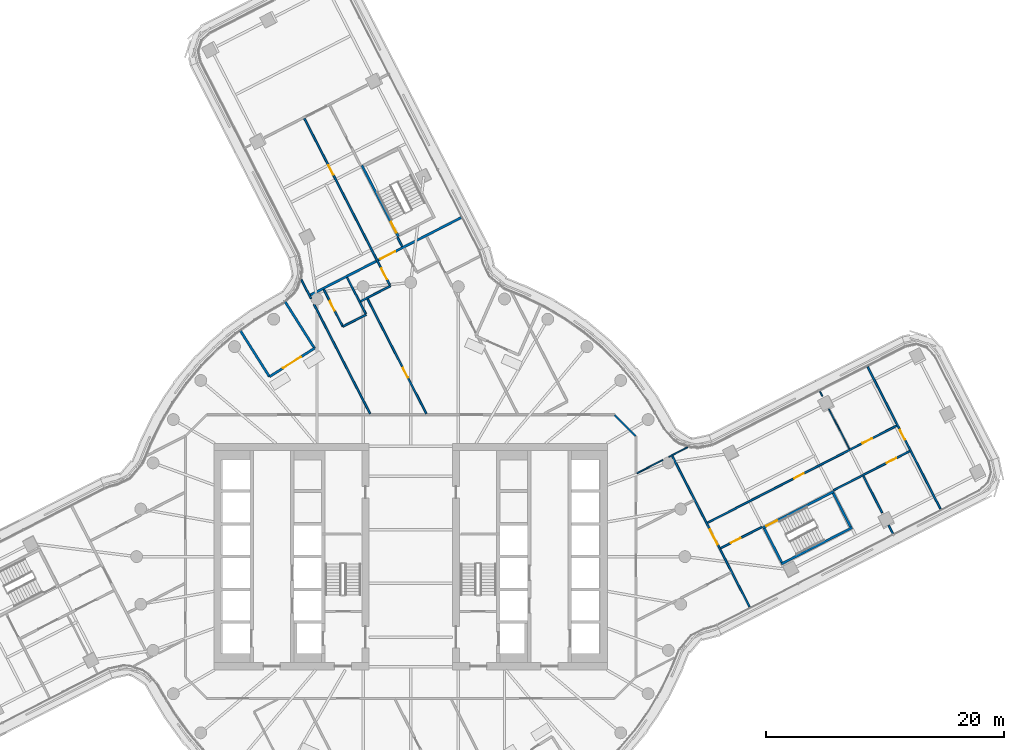
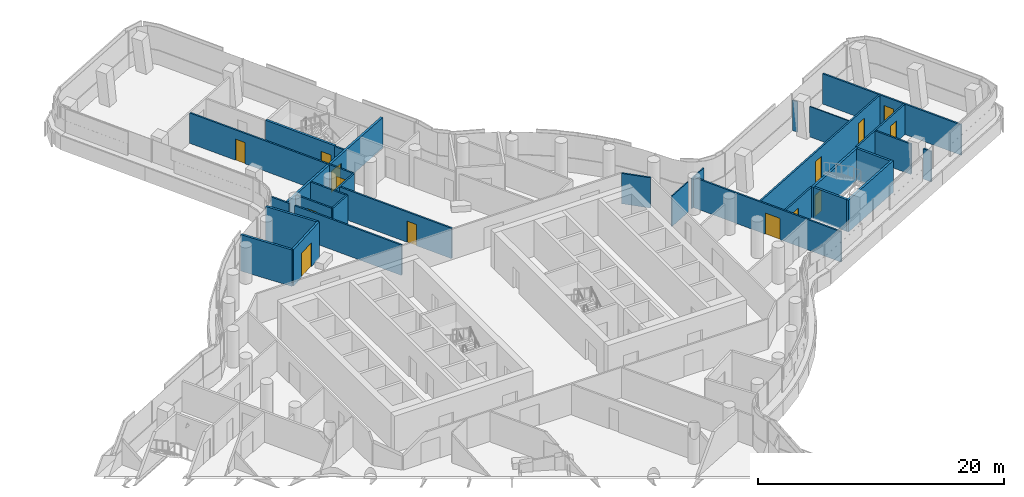
# One storey, part 25 of 37: 30 walls, 14 doors, 14 openings.
"""IFC4 building model written with IfcOpenShell, lengths in metres."""

from ifc_helpers import new_model, si_unit, direction, frame, frame_2d, origin, place, context, subcontext, project, spatial, polyline, rectangle, outline, extrude, material, layer, layer_set, type_object, element, fill, save


model = new_model("IFC4")

# Units and contexts
model_context = context("Model", 3, precision=1e-05, world=origin(), true_north=direction((0.0, 1.0)))
body_context = subcontext(model_context, "Body", "Model", "MODEL_VIEW")
ifc_project = project(units=[si_unit("LENGTHUNIT", "METRE"), si_unit("AREAUNIT", "SQUARE_METRE"), si_unit("VOLUMEUNIT", "CUBIC_METRE"), si_unit("PLANEANGLEUNIT", "RADIAN"), si_unit("MASSUNIT", "GRAM", prefix="KILO")], contexts=[model_context])

# Site, building, storey
site_placement = place(None, origin())
site = spatial("IfcSite", under=ifc_project, at=site_placement, CompositionType="ELEMENT")
building_placement = place(site_placement, origin())
building = spatial("IfcBuilding", under=site, at=building_placement, Name="Tamarind Cross Interchange Tower", CompositionType="ELEMENT")
storey_placement = place(building_placement, frame((0.0, 0.0, 133.0)))
storey = spatial("IfcBuildingStorey", under=building, at=storey_placement, Name="L32", CompositionType="ELEMENT", Elevation=133.0)

# Wall, opening, door
ifc_material_1 = material(Name="Concrete C40", Category="concrete")
ifc_layer_1 = layer(ifc_material_1, 0.199951171875)
ifc_layer_set_1 = layer_set([ifc_layer_1], Name="Concrete C40")
wall_type_1 = type_object("IfcWallType", Name="Balcony and garden door wall", PredefinedType="SOLIDWALL", material=ifc_layer_set_1)
wall_1_placement = place(storey_placement, frame((-8.0732421875, 17.48193359375, 0.0), z_axis=(0.0, 0.0, 1.0), x_axis=(-0.845417528595, -0.534105984187, 0.0)))
wall_1 = element("IfcWall", 1, at=wall_1_placement, inside=storey, type_object=wall_type_1, Name="EXW-L32-WG-L32-NW", PredefinedType="SOLIDWALL", context=body_context, shape_type="SweptSolid", body=[
    extrude(rectangle(XDim=4.470947265625, YDim=0.199951171875, at=frame_2d((2.2353515625, 0.0))), origin(), (0.0, 0.0, 1.0), 3.610107421875),
])
opening_1_placement = place(wall_1_placement, frame((1.33544921875, 0.0, 0.0)))
opening_1 = element("IfcOpeningElement", 2, at=opening_1_placement, cuts=wall_1, Name="Opening D5", PredefinedType="OPENING", context=body_context, shape_type="SweptSolid", body=[
    extrude(rectangle(XDim=1.800048828125, YDim=2.39990234375, at=frame_2d((0.89990234375, 1.199951171875))), frame((0.0, 0.10986328125, 0.0), z_axis=(0.0, -1.0, 0.0), x_axis=(1.0, 0.0, 0.0)), (0.0, 0.0, 1.0), 0.219970703125),
])
ifc_material_2 = material(Name="Aluminium and toughened glass", Category="aluminium")
door_type_1 = type_object("IfcDoorType", Name="Roof garden door", OperationType="DOUBLE_DOOR_SINGLE_SWING", PredefinedType="DOOR", material=ifc_material_2)
door_1_placement = place(opening_1_placement, origin())
door_1 = element("IfcDoor", 3, at=door_1_placement, inside=storey, type_object=door_type_1, Name="DOR-L32-WG-L32-NW", OperationType="SINGLE_SWING_LEFT", OverallHeight=2.39990234375, OverallWidth=1.800048828125, PredefinedType="DOOR", context=body_context, shape_type="SweptSolid", body=[
    extrude(rectangle(XDim=1.800048828125, YDim=2.39990234375, at=frame_2d((0.89990234375, 1.199951171875))), frame((0.0, 0.02490234375, 0.0), z_axis=(0.0, -1.0, 0.0), x_axis=(1.0, 0.0, 0.0)), (0.0, 0.0, 1.0), 0.050048828125),
])
fill(opening_1, door_1)

# Walls
wall_2_placement = place(storey_placement, frame((-8.0732421875, 17.48193359375, 0.0), z_axis=(0.0, 0.0, 1.0), x_axis=(-0.534101065581, 0.845420635982, 0.0)))
element("IfcWall", 4, at=wall_2_placement, inside=storey, type_object=wall_type_1, Name="EXW-L32-WG-L32-NW-R0", PredefinedType="SOLIDWALL", context=body_context, shape_type="SweptSolid", body=[
    extrude(rectangle(XDim=4.75927734375, YDim=0.199951171875, at=frame_2d((2.379638671875, 0.0))), origin(), (0.0, 0.0, 1.0), 3.610107421875),
])
wall_3_placement = place(storey_placement, frame((-11.85302734375, 15.09423828125, 0.0), z_axis=(0.0, 0.0, 1.0), x_axis=(-0.534084671669, 0.845430992742, 0.0)))
element("IfcWall", 5, at=wall_3_placement, inside=storey, type_object=wall_type_1, Name="EXW-L32-WG-L32-NW-R1", PredefinedType="SOLIDWALL", context=body_context, shape_type="SweptSolid", body=[
    extrude(rectangle(XDim=4.708740234375, YDim=0.199951171875, at=frame_2d((2.3544921875, 0.0))), origin(), (0.0, 0.0, 1.0), 3.610107421875),
])
ifc_material_3 = material(Name="Gypsum board partition on steel studs", Category="steel")
ifc_layer_2 = layer(ifc_material_3, 0.10009765625)
ifc_layer_set_2 = layer_set([ifc_layer_2], Name="Gypsum board partition on steel studs")
wall_type_2 = type_object("IfcWallType", Name="Partition 100 mm EI 90", PredefinedType="PARTITIONING", material=ifc_layer_set_2)
wall_4_placement = place(storey_placement, frame((34.326416015625, 13.872314453125, 0.0), z_axis=(0.0, 0.0, 1.0), x_axis=(0.456625277786, -0.889659123309, 0.0)))
element("IfcWall", 6, at=wall_4_placement, inside=storey, type_object=wall_type_2, Name="Partition L32-029", PredefinedType="PARTITIONING", context=body_context, shape_type="SweptSolid", body=[
    extrude(rectangle(XDim=0.465576171875, YDim=0.10009765625, at=frame_2d((0.23291015625, 0.0))), origin(), (0.0, 0.0, 1.0), 3.010009765625),
])
wall_5_placement = place(storey_placement, frame((35.083984375, 12.395751953125, 0.0), z_axis=(0.0, 0.0, 1.0), x_axis=(0.456567077321, -0.889688992799, 0.0)))
element("IfcWall", 7, at=wall_5_placement, inside=storey, type_object=wall_type_2, Name="Partition L32-030", PredefinedType="PARTITIONING", context=body_context, shape_type="SweptSolid", body=[
    extrude(rectangle(XDim=3.780029296875, YDim=0.10009765625, at=frame_2d((1.89013671875, 0.0))), origin(), (0.0, 0.0, 1.0), 3.010009765625),
])
wall_6_placement = place(storey_placement, frame((18.97998046875, 6.9921875, 0.0), z_axis=(0.0, 0.0, 1.0), x_axis=(0.889616028154, 0.456709231845, 0.0)))
element("IfcWall", 8, at=wall_6_placement, inside=storey, type_object=wall_type_2, Name="Partition L32-071", PredefinedType="PARTITIONING", context=body_context, shape_type="SweptSolid", body=[
    extrude(rectangle(XDim=2.461669921875, YDim=0.10009765625, at=frame_2d((1.23095703125, 0.0))), origin(), (0.0, 0.0, 1.0), 3.010009765625),
])
wall_7_placement = place(storey_placement, frame((21.654541015625, 8.365234375, 0.0), z_axis=(0.0, 0.0, 1.0), x_axis=(0.889589674888, 0.456760561271, 0.0)))
element("IfcWall", 9, at=wall_7_placement, inside=storey, type_object=wall_type_2, Name="Partition L32-072", PredefinedType="PARTITIONING", context=body_context, shape_type="SweptSolid", body=[
    extrude(rectangle(XDim=1.775146484375, YDim=0.10009765625, at=frame_2d((0.8876953125, 0.0))), origin(), (0.0, 0.0, 1.0), 3.010009765625),
])
ifc_layer_3 = layer(ifc_material_3, 0.14990234375)
ifc_layer_set_3 = layer_set([ifc_layer_3], Name="Gypsum board partition on steel studs")
wall_type_3 = type_object("IfcWallType", Name="Partition 150 mm EI 120", PredefinedType="PARTITIONING", material=ifc_layer_set_3)
wall_8_placement = place(storey_placement, frame((-9.175537109375, 23.2353515625, 0.0), z_axis=(0.0, 0.0, 1.0), x_axis=(0.456484124578, -0.889731557273, 0.0)))
element("IfcWall", 10, at=wall_8_placement, inside=storey, type_object=wall_type_3, Name="Partition L32-007", PredefinedType="PARTITIONING", context=body_context, shape_type="SweptSolid", body=[
    extrude(rectangle(XDim=1.775634765625, YDim=0.14990234375, at=frame_2d((0.8876953125, 0.0))), origin(), (0.0, 0.0, 1.0), 3.010009765625),
])
wall_9_placement = place(storey_placement, frame((-8.11572265625, 21.169677734375, 0.0), z_axis=(0.0, 0.0, 1.0), x_axis=(0.456543941527, -0.889700865154, 0.0)))
element("IfcWall", 11, at=wall_9_placement, inside=storey, type_object=wall_type_3, Name="Partition L32-008", PredefinedType="PARTITIONING", context=body_context, shape_type="SweptSolid", body=[
    extrude(rectangle(XDim=10.31396484375, YDim=0.14990234375, at=frame_2d((5.156982421875, 0.0))), origin(), (0.0, 0.0, 1.0), 3.010009765625),
])

# Wall, openings, doors
wall_10_placement = place(storey_placement, frame((-8.931884765625, 36.77734375, 0.0), z_axis=(0.0, 0.0, 1.0), x_axis=(0.456530071129, -0.889707982517, 0.0)))
wall_10 = element("IfcWall", 12, at=wall_10_placement, inside=storey, type_object=wall_type_3, Name="Partition L32-011", PredefinedType="PARTITIONING", context=body_context, shape_type="SweptSolid", body=[
    extrude(rectangle(XDim=15.744873046875, YDim=0.14990234375, at=frame_2d((7.87255859375, 0.0))), origin(), (0.0, 0.0, 1.0), 3.010009765625),
])
opening_2_placement = place(wall_10_placement, frame((14.1748046875, 0.0, 0.0)))
opening_2 = element("IfcOpeningElement", 13, at=opening_2_placement, cuts=wall_10, Name="Opening D04", PredefinedType="OPENING", context=body_context, shape_type="SweptSolid", body=[
    extrude(rectangle(XDim=1.0, YDim=2.10009765625, at=frame_2d((0.5, 1.050048828125))), frame((0.0, 0.0849609375, 0.0), z_axis=(0.0, -1.0, 0.0), x_axis=(1.0, 0.0, 0.0)), (0.0, 0.0, 1.0), 0.169921875),
])
opening_3_placement = place(wall_10_placement, frame((4.425048828125, 0.0, 0.0)))
opening_3 = element("IfcOpeningElement", 14, at=opening_3_placement, cuts=wall_10, Name="Opening D05", PredefinedType="OPENING", context=body_context, shape_type="SweptSolid", body=[
    extrude(rectangle(XDim=0.89990234375, YDim=2.10009765625, at=frame_2d((0.449951171875, 1.050048828125))), frame((0.0, 0.0849609375, 0.0), z_axis=(0.0, -1.0, 0.0), x_axis=(1.0, 0.0, 0.0)), (0.0, 0.0, 1.0), 0.169921875),
])
ifc_material_4 = material(Name="Fire-resisting door set")
door_type_2 = type_object("IfcDoorType", Name="Interior door 1000 x 2100 FD60S", OperationType="SINGLE_SWING_LEFT", PredefinedType="DOOR", material=ifc_material_4)
door_2_placement = place(opening_2_placement, frame((1.0, 0.0, 0.0), z_axis=(0.0, 0.0, 1.0), x_axis=(-1.0, 0.0, 0.0)))
door_2 = element("IfcDoor", 15, at=door_2_placement, inside=storey, type_object=door_type_2, Name="Door D04", OperationType="SINGLE_SWING_RIGHT", OverallHeight=2.10009765625, OverallWidth=1.0, PredefinedType="DOOR", context=body_context, shape_type="SweptSolid", body=[
    extrude(rectangle(XDim=1.0, YDim=2.10009765625, at=frame_2d((0.5, 1.050048828125))), frame((0.0, 0.02490234375, 0.0), z_axis=(0.0, -1.0, 0.0), x_axis=(1.0, 0.0, 0.0)), (0.0, 0.0, 1.0), 0.050048828125),
])
fill(opening_2, door_2)
door_type_3 = type_object("IfcDoorType", Name="Interior door 900 x 2100 FD60S", OperationType="SINGLE_SWING_LEFT", PredefinedType="DOOR", material=ifc_material_4)
door_3_placement = place(opening_3_placement, frame((0.89990234375, 0.0, 0.0), z_axis=(0.0, 0.0, 1.0), x_axis=(-1.0, 0.0, 0.0)))
door_3 = element("IfcDoor", 16, at=door_3_placement, inside=storey, type_object=door_type_3, Name="Door D05", OperationType="SINGLE_SWING_LEFT", OverallHeight=2.10009765625, OverallWidth=0.89990234375, PredefinedType="DOOR", context=body_context, shape_type="SweptSolid", body=[
    extrude(rectangle(XDim=0.89990234375, YDim=2.10009765625, at=frame_2d((0.449951171875, 1.050048828125))), frame((0.0, 0.02490234375, 0.0), z_axis=(0.0, -1.0, 0.0), x_axis=(1.0, 0.0, 0.0)), (0.0, 0.0, 1.0), 0.050048828125),
])
fill(opening_3, door_3)

# Wall, opening, door
wall_11_placement = place(storey_placement, frame((-7.294189453125, 22.416015625, 0.0), z_axis=(0.0, 0.0, 1.0), x_axis=(0.456617130673, -0.889663304838, 0.0)))
wall_11 = element("IfcWall", 17, at=wall_11_placement, inside=storey, type_object=wall_type_3, Name="Partition L32-012", PredefinedType="PARTITIONING", context=body_context, shape_type="SweptSolid", body=[
    extrude(rectangle(XDim=3.480224609375, YDim=0.14990234375, at=frame_2d((1.740234375, 0.0))), origin(), (0.0, 0.0, 1.0), 3.010009765625),
])
opening_4_placement = place(wall_11_placement, frame((1.10009765625, 0.0, 0.0)))
opening_4 = element("IfcOpeningElement", 18, at=opening_4_placement, cuts=wall_11, Name="Opening D06", PredefinedType="OPENING", context=body_context, shape_type="SweptSolid", body=[
    extrude(rectangle(XDim=0.89990234375, YDim=2.10009765625, at=frame_2d((0.449951171875, 1.050048828125))), frame((0.0, 0.0849609375, 0.0), z_axis=(0.0, -1.0, 0.0), x_axis=(1.0, 0.0, 0.0)), (0.0, 0.0, 1.0), 0.169921875),
])
door_4_placement = place(opening_4_placement, origin())
door_4 = element("IfcDoor", 19, at=door_4_placement, inside=storey, type_object=door_type_3, Name="Door D06", OperationType="SINGLE_SWING_RIGHT", OverallHeight=2.10009765625, OverallWidth=0.89990234375, PredefinedType="DOOR", context=body_context, shape_type="SweptSolid", body=[
    extrude(rectangle(XDim=0.89990234375, YDim=2.10009765625, at=frame_2d((0.449951171875, 1.050048828125))), frame((0.0, 0.02490234375, 0.0), z_axis=(0.0, -1.0, 0.0), x_axis=(1.0, 0.0, 0.0)), (0.0, 0.0, 1.0), 0.050048828125),
])
fill(opening_4, door_4)

# Walls
wall_12_placement = place(storey_placement, frame((-1.105224609375, 26.782958984375, 0.0), z_axis=(0.0, 0.0, 1.0), x_axis=(0.456670300409, -0.889636013617, 0.0)))
element("IfcWall", 20, at=wall_12_placement, inside=storey, type_object=wall_type_3, Name="Partition L32-014", PredefinedType="PARTITIONING", context=body_context, shape_type="SweptSolid", body=[
    extrude(rectangle(XDim=0.854736328125, YDim=0.14990234375, at=frame_2d((0.42724609375, 0.0))), origin(), (0.0, 0.0, 1.0), 3.010009765625),
])
wall_13_placement = place(storey_placement, frame((-5.33740234375, 23.419921875, 0.0), z_axis=(0.0, 0.0, 1.0), x_axis=(0.456682724055, -0.889629636169, 0.0)))
element("IfcWall", 21, at=wall_13_placement, inside=storey, type_object=wall_type_3, Name="Partition L32-015", PredefinedType="PARTITIONING", context=body_context, shape_type="SweptSolid", body=[
    extrude(rectangle(XDim=3.425048828125, YDim=0.14990234375, at=frame_2d((1.71240234375, 0.0))), origin(), (0.0, 0.0, 1.0), 3.010009765625),
])

# Wall, opening, door
wall_14_placement = place(storey_placement, frame((-3.6298828125, 21.627197265625, 0.0), z_axis=(0.0, 0.0, 1.0), x_axis=(0.456496994871, -0.889724953946, 0.0)))
wall_14 = element("IfcWall", 22, at=wall_14_placement, inside=storey, type_object=wall_type_3, Name="Partition L32-016", PredefinedType="PARTITIONING", context=body_context, shape_type="SweptSolid", body=[
    extrude(rectangle(XDim=10.827880859375, YDim=0.14990234375, at=frame_2d((5.4140625, 0.0))), origin(), (0.0, 0.0, 1.0), 3.010009765625),
])
opening_5_placement = place(wall_14_placement, frame((6.52490234375, 0.0, 0.0)))
opening_5 = element("IfcOpeningElement", 23, at=opening_5_placement, cuts=wall_14, Name="Opening D08", PredefinedType="OPENING", context=body_context, shape_type="SweptSolid", body=[
    extrude(rectangle(XDim=0.89990234375, YDim=2.10009765625, at=frame_2d((0.449951171875, 1.050048828125))), frame((0.0, 0.0849609375, 0.0), z_axis=(0.0, -1.0, 0.0), x_axis=(1.0, 0.0, 0.0)), (0.0, 0.0, 1.0), 0.169921875),
])
door_5_placement = place(opening_5_placement, frame((0.89990234375, 0.0, 0.0), z_axis=(0.0, 0.0, 1.0), x_axis=(-1.0, 0.0, 0.0)))
door_5 = element("IfcDoor", 24, at=door_5_placement, inside=storey, type_object=door_type_3, Name="Door D08", OperationType="SINGLE_SWING_RIGHT", OverallHeight=2.10009765625, OverallWidth=0.89990234375, PredefinedType="DOOR", context=body_context, shape_type="SweptSolid", body=[
    extrude(rectangle(XDim=0.89990234375, YDim=2.10009765625, at=frame_2d((0.449951171875, 1.050048828125))), frame((0.0, 0.02490234375, 0.0), z_axis=(0.0, -1.0, 0.0), x_axis=(1.0, 0.0, 0.0)), (0.0, 0.0, 1.0), 0.050048828125),
])
fill(opening_5, door_5)

wall_15_placement = place(storey_placement, frame((21.933837890625, 8.452392578125, 0.0), z_axis=(0.0, 0.0, 1.0), x_axis=(0.456612291923, -0.889665788296, 0.0)))
wall_15 = element("IfcWall", 25, at=wall_15_placement, inside=storey, type_object=wall_type_3, Name="Partition L32-028", PredefinedType="PARTITIONING", context=body_context, shape_type="SweptSolid", body=[
    extrude(rectangle(XDim=14.249267578125, YDim=0.14990234375, at=frame_2d((7.12451171875, 0.0))), origin(), (0.0, 0.0, 1.0), 3.010009765625),
])
opening_6_placement = place(wall_15_placement, frame((6.949951171875, 0.0, 0.0)))
opening_6 = element("IfcOpeningElement", 26, at=opening_6_placement, cuts=wall_15, Name="Opening D19", PredefinedType="OPENING", context=body_context, shape_type="SweptSolid", body=[
    extrude(rectangle(XDim=1.39990234375, YDim=2.10009765625, at=frame_2d((0.699951171875, 1.050048828125))), frame((0.0, 0.0849609375, 0.0), z_axis=(0.0, -1.0, 0.0), x_axis=(1.0, 0.0, 0.0)), (0.0, 0.0, 1.0), 0.169921875),
])
door_type_4 = type_object("IfcDoorType", Name="Interior door 1400 x 2100 FD60S", OperationType="DOUBLE_DOOR_SINGLE_SWING", PredefinedType="DOOR", material=ifc_material_4)
door_6_placement = place(opening_6_placement, frame((1.39990234375, 0.0, 0.0), z_axis=(0.0, 0.0, 1.0), x_axis=(-1.0, 0.0, 0.0)))
door_6 = element("IfcDoor", 27, at=door_6_placement, inside=storey, type_object=door_type_4, Name="Door D19", OperationType="DOUBLE_DOOR_SINGLE_SWING", OverallHeight=2.10009765625, OverallWidth=1.39990234375, PredefinedType="DOOR", context=body_context, shape_type="SweptSolid", body=[
    extrude(rectangle(XDim=1.39990234375, YDim=2.10009765625, at=frame_2d((0.699951171875, 1.050048828125))), frame((0.0, 0.02490234375, 0.0), z_axis=(0.0, -1.0, 0.0), x_axis=(1.0, 0.0, 0.0)), (0.0, 0.0, 1.0), 0.050048828125),
])
fill(opening_6, door_6)

# Walls
wall_16_placement = place(storey_placement, frame((37.973876953125, 6.76416015625, 0.0), z_axis=(0.0, 0.0, 1.0), x_axis=(0.456549891338, -0.889697812023, 0.0)))
element("IfcWall", 28, at=wall_16_placement, inside=storey, type_object=wall_type_3, Name="Partition L32-031", PredefinedType="PARTITIONING", context=body_context, shape_type="SweptSolid", body=[
    extrude(rectangle(XDim=3.463623046875, YDim=0.14990234375, at=frame_2d((1.73193359375, 0.0))), origin(), (0.0, 0.0, 1.0), 3.010009765625),
])
wall_17_placement = place(storey_placement, frame((40.10107421875, 2.618896484375, 0.0), z_axis=(0.0, 0.0, 1.0), x_axis=(0.456381439549, -0.889784233191, 0.0)))
element("IfcWall", 29, at=wall_17_placement, inside=storey, type_object=wall_type_3, Name="Partition L32-032", PredefinedType="PARTITIONING", context=body_context, shape_type="SweptSolid", body=[
    extrude(rectangle(XDim=0.764892578125, YDim=0.14990234375, at=frame_2d((0.38232421875, 0.0))), origin(), (0.0, 0.0, 1.0), 3.010009765625),
])

# Wall, opening, door
wall_18_placement = place(storey_placement, frame((38.33349609375, 15.9189453125, 0.0), z_axis=(0.0, 0.0, 1.0), x_axis=(0.456630170647, -0.889656611988, 0.0)))
wall_18 = element("IfcWall", 30, at=wall_18_placement, inside=storey, type_object=wall_type_3, Name="Partition L32-033", PredefinedType="PARTITIONING", context=body_context, shape_type="SweptSolid", body=[
    extrude(rectangle(XDim=13.405029296875, YDim=0.14990234375, at=frame_2d((6.70263671875, 0.0))), origin(), (0.0, 0.0, 1.0), 3.010009765625),
])
opening_7_placement = place(wall_18_placement, frame((5.95654296875, 0.0, 0.0)))
opening_7 = element("IfcOpeningElement", 31, at=opening_7_placement, cuts=wall_18, Name="Opening D20", PredefinedType="OPENING", context=body_context, shape_type="SweptSolid", body=[
    extrude(rectangle(XDim=0.89990234375, YDim=2.10009765625, at=frame_2d((0.449951171875, 1.050048828125))), frame((0.0, 0.0849609375, 0.0), z_axis=(0.0, -1.0, 0.0), x_axis=(1.0, 0.0, 0.0)), (0.0, 0.0, 1.0), 0.169921875),
])
door_7_placement = place(opening_7_placement, origin())
door_7 = element("IfcDoor", 32, at=door_7_placement, inside=storey, type_object=door_type_3, Name="Door D20", OperationType="SINGLE_SWING_RIGHT", OverallHeight=2.10009765625, OverallWidth=0.89990234375, PredefinedType="DOOR", context=body_context, shape_type="SweptSolid", body=[
    extrude(rectangle(XDim=0.89990234375, YDim=2.10009765625, at=frame_2d((0.449951171875, 1.050048828125))), frame((0.0, 0.02490234375, 0.0), z_axis=(0.0, -1.0, 0.0), x_axis=(1.0, 0.0, 0.0)), (0.0, 0.0, 1.0), 0.050048828125),
])
fill(opening_7, door_7)

# Walls
wall_19_placement = place(storey_placement, frame((17.12841796875, 11.87158203125, 0.0), z_axis=(0.0, 0.0, 1.0), x_axis=(0.707106781187, -0.707106781187, 0.0)))
element("IfcWall", 33, at=wall_19_placement, inside=storey, type_object=wall_type_3, Name="Partition L32-035", PredefinedType="PARTITIONING", context=body_context, shape_type="SweptSolid", body=[
    extrude(rectangle(XDim=2.465087890625, YDim=0.14990234375, at=frame_2d((1.232421875, 0.0))), origin(), (0.0, 0.0, 1.0), 3.010009765625),
])
wall_20_placement = place(storey_placement, frame((-5.696044921875, 19.302001953125, 0.0), z_axis=(0.0, 0.0, 1.0), x_axis=(0.889761986003, 0.456424811183, 0.0)))
element("IfcWall", 34, at=wall_20_placement, inside=storey, type_object=wall_type_3, Name="Partition L32-052", PredefinedType="PARTITIONING", context=body_context, shape_type="SweptSolid", body=[
    extrude(rectangle(XDim=2.199462890625, YDim=0.14990234375, at=frame_2d((1.099609375, 0.0))), origin(), (0.0, 0.0, 1.0), 3.010009765625),
])
wall_21_placement = place(storey_placement, frame((-4.22021484375, 21.408203125, 0.0), z_axis=(0.0, 0.0, 1.0), x_axis=(0.889499615921, 0.456935918128, 0.0)))
element("IfcWall", 35, at=wall_21_placement, inside=storey, type_object=wall_type_3, Name="Partition L32-054", PredefinedType="PARTITIONING", context=body_context, shape_type="SweptSolid", body=[
    extrude(rectangle(XDim=2.824951171875, YDim=0.14990234375, at=frame_2d((1.41259765625, 0.0))), origin(), (0.0, 0.0, 1.0), 3.010009765625),
])

# Wall, openings, doors
wall_22_placement = place(storey_placement, frame((24.904296875, 2.839599609375, 0.0), z_axis=(0.0, 0.0, 1.0), x_axis=(0.88972158157, 0.456503567663, 0.0)))
wall_22 = element("IfcWall", 36, at=wall_22_placement, inside=storey, type_object=wall_type_3, Name="Partition L32-073", PredefinedType="PARTITIONING", context=body_context, shape_type="SweptSolid", body=[
    extrude(rectangle(XDim=17.844970703125, YDim=0.14990234375, at=frame_2d((8.92236328125, 0.0))), origin(), (0.0, 0.0, 1.0), 3.010009765625),
])
opening_8_placement = place(wall_22_placement, frame((8.169921875, 0.0, 0.0)))
opening_8 = element("IfcOpeningElement", 37, at=opening_8_placement, cuts=wall_22, Name="Opening D36", PredefinedType="OPENING", context=body_context, shape_type="SweptSolid", body=[
    extrude(rectangle(XDim=0.89990234375, YDim=2.10009765625, at=frame_2d((0.449951171875, 1.050048828125))), frame((0.0, 0.0849609375, 0.0), z_axis=(0.0, -1.0, 0.0), x_axis=(1.0, 0.0, 0.0)), (0.0, 0.0, 1.0), 0.169921875),
])
opening_9_placement = place(wall_22_placement, frame((14.619873046875, 0.0, 0.0)))
opening_9 = element("IfcOpeningElement", 38, at=opening_9_placement, cuts=wall_22, Name="Opening D37", PredefinedType="OPENING", context=body_context, shape_type="SweptSolid", body=[
    extrude(rectangle(XDim=0.89990234375, YDim=2.10009765625, at=frame_2d((0.449951171875, 1.050048828125))), frame((0.0, 0.0849609375, 0.0), z_axis=(0.0, -1.0, 0.0), x_axis=(1.0, 0.0, 0.0)), (0.0, 0.0, 1.0), 0.169921875),
])
door_8_placement = place(opening_8_placement, origin())
door_8 = element("IfcDoor", 39, at=door_8_placement, inside=storey, type_object=door_type_3, Name="Door D36", OperationType="SINGLE_SWING_RIGHT", OverallHeight=2.10009765625, OverallWidth=0.89990234375, PredefinedType="DOOR", context=body_context, shape_type="SweptSolid", body=[
    extrude(rectangle(XDim=0.89990234375, YDim=2.10009765625, at=frame_2d((0.449951171875, 1.050048828125))), frame((0.0, 0.02490234375, 0.0), z_axis=(0.0, -1.0, 0.0), x_axis=(1.0, 0.0, 0.0)), (0.0, 0.0, 1.0), 0.050048828125),
])
fill(opening_8, door_8)
door_9_placement = place(opening_9_placement, origin())
door_9 = element("IfcDoor", 40, at=door_9_placement, inside=storey, type_object=door_type_3, Name="Door D37", OperationType="SINGLE_SWING_LEFT", OverallHeight=2.10009765625, OverallWidth=0.89990234375, PredefinedType="DOOR", context=body_context, shape_type="SweptSolid", body=[
    extrude(rectangle(XDim=0.89990234375, YDim=2.10009765625, at=frame_2d((0.449951171875, 1.050048828125))), frame((0.0, 0.02490234375, 0.0), z_axis=(0.0, -1.0, 0.0), x_axis=(1.0, 0.0, 0.0)), (0.0, 0.0, 1.0), 0.050048828125),
])
fill(opening_9, door_9)

# Wall, opening, door
wall_23_placement = place(storey_placement, frame((26.000244140625, 0.70361328125, 0.0), z_axis=(0.0, 0.0, 1.0), x_axis=(0.88964509862, 0.456652601548, 0.0)))
wall_23 = element("IfcWall", 41, at=wall_23_placement, inside=storey, type_object=wall_type_3, Name="Partition L32-074", PredefinedType="PARTITIONING", context=body_context, shape_type="SweptSolid", body=[
    extrude(rectangle(XDim=3.8798828125, YDim=0.14990234375, at=frame_2d((1.93994140625, 0.0))), origin(), (0.0, 0.0, 1.0), 3.010009765625),
])
opening_10_placement = place(wall_23_placement, frame((0.969970703125, 0.0, 0.0)))
opening_10 = element("IfcOpeningElement", 42, at=opening_10_placement, cuts=wall_23, Name="Opening D38", PredefinedType="OPENING", context=body_context, shape_type="SweptSolid", body=[
    extrude(rectangle(XDim=0.89990234375, YDim=2.10009765625, at=frame_2d((0.449951171875, 1.050048828125))), frame((0.0, 0.0849609375, 0.0), z_axis=(0.0, -1.0, 0.0), x_axis=(1.0, 0.0, 0.0)), (0.0, 0.0, 1.0), 0.169921875),
])
door_10_placement = place(opening_10_placement, frame((0.89990234375, 0.0, 0.0), z_axis=(0.0, 0.0, 1.0), x_axis=(-1.0, 0.0, 0.0)))
door_10 = element("IfcDoor", 43, at=door_10_placement, inside=storey, type_object=door_type_3, Name="Door D38", OperationType="SINGLE_SWING_LEFT", OverallHeight=2.10009765625, OverallWidth=0.89990234375, PredefinedType="DOOR", context=body_context, shape_type="SweptSolid", body=[
    extrude(rectangle(XDim=0.89990234375, YDim=2.10009765625, at=frame_2d((0.449951171875, 1.050048828125))), frame((0.0, 0.02490234375, 0.0), z_axis=(0.0, -1.0, 0.0), x_axis=(1.0, 0.0, 0.0)), (0.0, 0.0, 1.0), 0.050048828125),
])
fill(opening_10, door_10)

wall_24_placement = place(storey_placement, frame((35.48388671875, 5.571533203125, 0.0), z_axis=(0.0, 0.0, 1.0), x_axis=(0.889646871899, 0.456649146852, 0.0)))
wall_24 = element("IfcWall", 44, at=wall_24_placement, inside=storey, type_object=wall_type_3, Name="Partition L32-075", PredefinedType="PARTITIONING", context=body_context, shape_type="SweptSolid", body=[
    extrude(rectangle(XDim=7.184326171875, YDim=0.14990234375, at=frame_2d((3.59228515625, 0.0))), origin(), (0.0, 0.0, 1.0), 3.010009765625),
])
opening_11_placement = place(wall_24_placement, frame((5.01025390625, 0.0, 0.0)))
opening_11 = element("IfcOpeningElement", 45, at=opening_11_placement, cuts=wall_24, Name="Opening D39", PredefinedType="OPENING", context=body_context, shape_type="SweptSolid", body=[
    extrude(rectangle(XDim=0.89990234375, YDim=2.10009765625, at=frame_2d((0.449951171875, 1.050048828125))), frame((0.0, 0.0849609375, 0.0), z_axis=(0.0, -1.0, 0.0), x_axis=(1.0, 0.0, 0.0)), (0.0, 0.0, 1.0), 0.169921875),
])
door_11_placement = place(opening_11_placement, frame((0.89990234375, 0.0, 0.0), z_axis=(0.0, 0.0, 1.0), x_axis=(-1.0, 0.0, 0.0)))
door_11 = element("IfcDoor", 46, at=door_11_placement, inside=storey, type_object=door_type_3, Name="Door D39", OperationType="SINGLE_SWING_RIGHT", OverallHeight=2.10009765625, OverallWidth=0.89990234375, PredefinedType="DOOR", context=body_context, shape_type="SweptSolid", body=[
    extrude(rectangle(XDim=0.89990234375, YDim=2.10009765625, at=frame_2d((0.449951171875, 1.050048828125))), frame((0.0, 0.02490234375, 0.0), z_axis=(0.0, -1.0, 0.0), x_axis=(1.0, 0.0, 0.0)), (0.0, 0.0, 1.0), 0.050048828125),
])
fill(opening_11, door_11)

ifc_layer_4 = layer(ifc_material_3, 0.199951171875)
ifc_layer_set_4 = layer_set([ifc_layer_4], Name="Gypsum board partition on steel studs")
wall_type_4 = type_object("IfcWallType", Name="Partition 200 mm EI 180", PredefinedType="PARTITIONING", material=ifc_layer_set_4)
wall_25_placement = place(storey_placement, frame((-8.42578125, 21.947509765625, 0.0), z_axis=(0.0, 0.0, 1.0), x_axis=(0.889606613969, 0.456727569108, 0.0)))
wall_25 = element("IfcWall", 47, at=wall_25_placement, inside=storey, type_object=wall_type_4, Name="Partition L32-051", PredefinedType="PARTITIONING", context=body_context, shape_type="SweptSolid", body=[
    extrude(rectangle(XDim=14.219482421875, YDim=0.199951171875, at=frame_2d((7.10986328125, 0.0))), origin(), (0.0, 0.0, 1.0), 3.010009765625),
])
opening_12_placement = place(wall_25_placement, frame((6.6201171875, 0.0, 0.0)))
opening_12 = element("IfcOpeningElement", 48, at=opening_12_placement, cuts=wall_25, Name="Opening D32", PredefinedType="OPENING", context=body_context, shape_type="SweptSolid", body=[
    extrude(rectangle(XDim=1.39990234375, YDim=2.10009765625, at=frame_2d((0.699951171875, 1.050048828125))), frame((0.0, 0.10986328125, 0.0), z_axis=(0.0, -1.0, 0.0), x_axis=(1.0, 0.0, 0.0)), (0.0, 0.0, 1.0), 0.219970703125),
])
door_type_5 = type_object("IfcDoorType", Name="Interior door 1400 x 2100 FD120S", OperationType="DOUBLE_DOOR_SINGLE_SWING", PredefinedType="DOOR", material=ifc_material_4)
door_12_placement = place(opening_12_placement, frame((1.39990234375, 0.0, 0.0), z_axis=(0.0, 0.0, 1.0), x_axis=(-1.0, 0.0, 0.0)))
door_12 = element("IfcDoor", 49, at=door_12_placement, inside=storey, type_object=door_type_5, Name="Door D32", OperationType="DOUBLE_DOOR_SINGLE_SWING", OverallHeight=2.10009765625, OverallWidth=1.39990234375, PredefinedType="DOOR", context=body_context, shape_type="SweptSolid", body=[
    extrude(rectangle(XDim=1.39990234375, YDim=2.10009765625, at=frame_2d((0.699951171875, 1.050048828125))), frame((0.0, 0.02490234375, 0.0), z_axis=(0.0, -1.0, 0.0), x_axis=(1.0, 0.0, 0.0)), (0.0, 0.0, 1.0), 0.050048828125),
])
fill(opening_12, door_12)

ifc_layer_5 = layer(ifc_material_1, 0.199951171875)
ifc_layer_set_5 = layer_set([ifc_layer_5], Name="Concrete C40")
wall_type_5 = type_object("IfcWallType", Name="Stair shaft wall 200 mm Concrete C40", PredefinedType="SHEAR", material=ifc_layer_set_5)
wall_26_placement = place(storey_placement, frame((29.533203125, 2.404541015625, -0.139892578125), z_axis=(0.0, 0.0, 1.0), x_axis=(0.889699446703, 0.456546705756, 0.0)))
wall_26 = element("IfcWall", 50, at=wall_26_placement, inside=storey, type_object=wall_type_5, Name="Core wall CWL-L32-ST3-H", PredefinedType="SHEAR", context=body_context, shape_type="SweptSolid", body=[
    extrude(rectangle(XDim=6.699951171875, YDim=0.199951171875, at=frame_2d((3.35009765625, 0.0))), origin(), (0.0, 0.0, 1.0), 3.14990234375),
])
opening_13_placement = place(wall_26_placement, frame((0.35009765625, 0.0, 0.0)))
opening_13 = element("IfcOpeningElement", 51, at=opening_13_placement, cuts=wall_26, Name="Opening ST3L32", PredefinedType="OPENING", context=body_context, shape_type="SweptSolid", body=[
    extrude(rectangle(XDim=1.0, YDim=2.10009765625, at=frame_2d((0.5, 1.050048828125))), frame((0.0, 0.10986328125, 0.0), z_axis=(0.0, -1.0, 0.0), x_axis=(1.0, 0.0, 0.0)), (0.0, 0.0, 1.0), 0.219970703125),
])
ifc_material_5 = material(Name="Steel, fire-resisting", Category="steel")
door_type_6 = type_object("IfcDoorType", Name="Core fire door 1000 x 2100 FD90", OperationType="SINGLE_SWING_LEFT", PredefinedType="DOOR", material=ifc_material_5)
door_13_placement = place(opening_13_placement, origin())
door_13 = element("IfcDoor", 52, at=door_13_placement, inside=storey, type_object=door_type_6, Name="L32 stair door ST3", OperationType="SINGLE_SWING_LEFT", OverallHeight=2.10009765625, OverallWidth=1.0, PredefinedType="DOOR", context=body_context, shape_type="SweptSolid", body=[
    extrude(rectangle(XDim=1.0, YDim=2.10009765625, at=frame_2d((0.5, 1.050048828125))), frame((0.0, 0.02490234375, 0.0), z_axis=(0.0, -1.0, 0.0), x_axis=(1.0, 0.0, 0.0)), (0.0, 0.0, 1.0), 0.050048828125),
])
fill(opening_13, door_13)

# Walls
wall_27_placement = place(storey_placement, frame((31.08544921875, -0.62060546875, -0.139892578125), z_axis=(0.0, 0.0, 1.0), x_axis=(0.889684645268, 0.456575549033, 0.0)))
element("IfcWall", 53, at=wall_27_placement, inside=storey, type_object=wall_type_5, Name="Core wall CWL-L32-ST3-C", PredefinedType="SHEAR", context=body_context, shape_type="SweptSolid", body=[
    extrude(rectangle(XDim=6.699951171875, YDim=0.199951171875, at=frame_2d((3.35009765625, 0.0))), origin(), (0.0, 0.0, 1.0), 3.14990234375),
])
wall_28_placement = place(storey_placement, frame((31.128662109375, -0.48583984375, -0.139892578125), z_axis=(0.0, 0.0, 1.0), x_axis=(-0.456558269459, 0.889693512727, 0.0)))
element("IfcWall", 54, at=wall_28_placement, inside=storey, type_object=wall_type_5, Name="Core wall CWL-L32-ST3-CE", PredefinedType="SHEAR", context=body_context, shape_type="SweptSolid", body=[
    extrude(rectangle(XDim=3.199951171875, YDim=0.199951171875, at=frame_2d((1.60009765625, 0.0))), origin(), (0.0, 0.0, 1.0), 3.14990234375),
])
wall_29_placement = place(storey_placement, frame((0.0, 0.0, -0.139892578125)))
element("IfcWall", 55, at=wall_29_placement, inside=storey, type_object=wall_type_5, Name="Core wall CWL-L32-ST3-CF", PredefinedType="SHEAR", context=body_context, shape_type="SweptSolid", body=[
    extrude(outline(polyline([(36.82275390625, 2.43603515625), (37.000732421875, 2.52734375), (35.539794921875, 5.37451171875), (35.36181640625, 5.283203125), (36.82275390625, 2.43603515625)])), origin(), (0.0, 0.0, 1.0), 3.14990234375),
])

# Wall, opening, door
wall_30_placement = place(storey_placement, frame((-1.034912109375, 26.864013671875, -0.139892578125), z_axis=(0.0, 0.0, 1.0), x_axis=(-0.456546705756, 0.889699446703, 0.0)))
wall_30 = element("IfcWall", 56, at=wall_30_placement, inside=storey, type_object=wall_type_5, Name="Core wall CWL-L32-ST4-H", PredefinedType="SHEAR", context=body_context, shape_type="SweptSolid", body=[
    extrude(rectangle(XDim=6.699951171875, YDim=0.199951171875, at=frame_2d((3.35009765625, 0.0))), origin(), (0.0, 0.0, 1.0), 3.14990234375),
])
opening_14_placement = place(wall_30_placement, frame((0.35009765625, 0.0, 0.0)))
opening_14 = element("IfcOpeningElement", 57, at=opening_14_placement, cuts=wall_30, Name="Opening ST4L32", PredefinedType="OPENING", context=body_context, shape_type="SweptSolid", body=[
    extrude(rectangle(XDim=1.0, YDim=2.10009765625, at=frame_2d((0.5, 1.050048828125))), frame((0.0, 0.10986328125, 0.0), z_axis=(0.0, -1.0, 0.0), x_axis=(1.0, 0.0, 0.0)), (0.0, 0.0, 1.0), 0.219970703125),
])
door_14_placement = place(opening_14_placement, origin())
door_14 = element("IfcDoor", 58, at=door_14_placement, inside=storey, type_object=door_type_6, Name="L32 stair door ST4", OperationType="SINGLE_SWING_LEFT", OverallHeight=2.10009765625, OverallWidth=1.0, PredefinedType="DOOR", context=body_context, shape_type="SweptSolid", body=[
    extrude(rectangle(XDim=1.0, YDim=2.10009765625, at=frame_2d((0.5, 1.050048828125))), frame((0.0, 0.02490234375, 0.0), z_axis=(0.0, -1.0, 0.0), x_axis=(1.0, 0.0, 0.0)), (0.0, 0.0, 1.0), 0.050048828125),
])
fill(opening_14, door_14)

save(model, "model.ifc")
